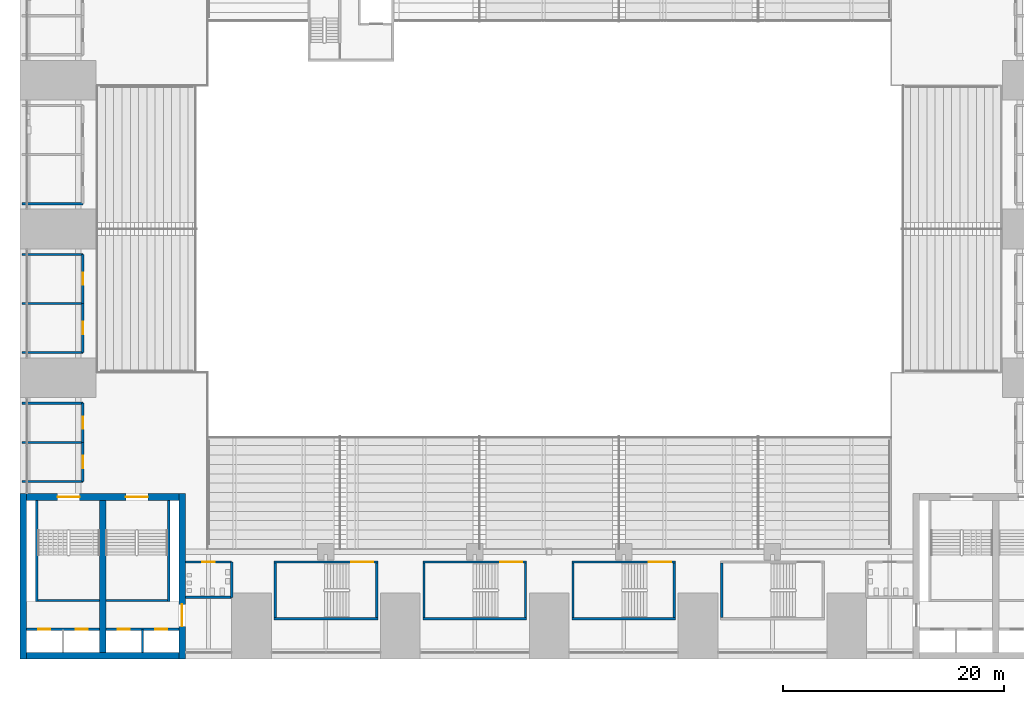
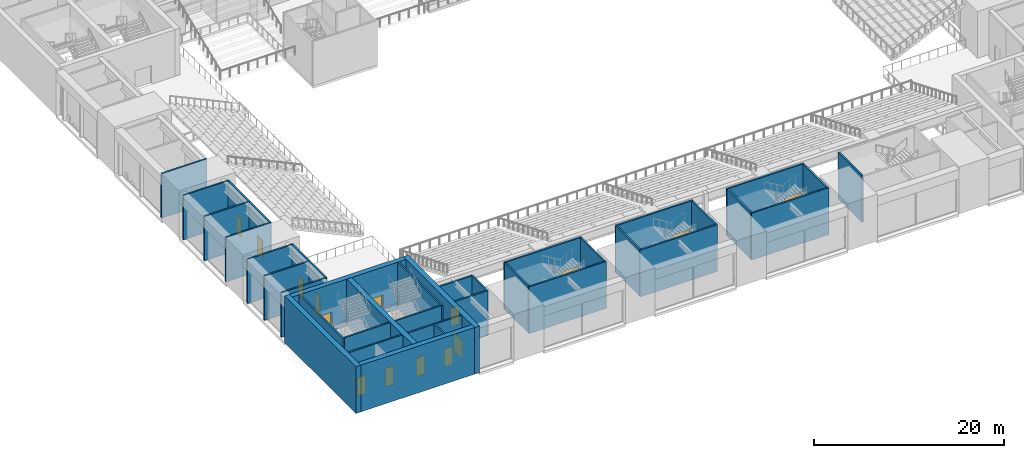
# One storey, part 29 of 61: 39 walls, 15 doors, 15 openings.
"""IFC4 building model written with IfcOpenShell, lengths in metres."""

import ifcopenshell
import ifcopenshell.guid

model = None  # the IFC model being written
_history = None  # IfcOwnerHistory: only IFC2X3 demands one
_inside = {}  # id of a spatial element -> (the spatial element, [elements in it])
_under = {}  # id of a project, library or spatial element -> (it, [spatial elements below it])
_declared = {}  # id of a project -> (the project, [libraries it declares])
_typed = {}  # id of a type object -> (the type object, [elements of that type])
_made_of = {}  # id of a material, layer set ... -> (it, [elements and type objects made of it])


def new_model(schema):
    """Start an empty IFC model of exactly this schema.

    Asked for "IFC4X3", IfcOpenShell would pick the latest addendum, in which some entities
    have other attributes; the version numbers below select the first issue.
    IFC2X3 requires an IfcOwnerHistory on every rooted entity: one is made here for all.
    """
    global model, _history
    if schema == "IFC4X3":
        model = ifcopenshell.file(schema_version=(4, 3, 0, 0))
    else:
        model = ifcopenshell.file(schema=schema)
    _inside.clear()
    _under.clear()
    _declared.clear()
    _typed.clear()
    _made_of.clear()
    _history = None
    if model.schema == "IFC2X3":
        org = make("IfcOrganization", Name="unknown")
        user = make(
            "IfcPersonAndOrganization",
            ThePerson=make("IfcPerson", FamilyName="unknown"),
            TheOrganization=org,
        )
        app = make(
            "IfcApplication",
            ApplicationDeveloper=org,
            Version="unknown",
            ApplicationFullName="unknown",
            ApplicationIdentifier="unknown",
        )
        _history = make(
            "IfcOwnerHistory",
            OwningUser=user,
            OwningApplication=app,
            ChangeAction="ADDED",
            CreationDate=0,
        )
    return model


def make(cls, **values):
    """One entity of the class cls with the attributes given. An attribute that is None is left unset."""
    return model.create_entity(
        cls, **{name: value for name, value in values.items() if value is not None}
    )


def rooted(cls, **values):
    """An entity with a GlobalId (a new one), such as an element, a storey or a relation."""
    return make(cls, GlobalId=ifcopenshell.guid.new(), OwnerHistory=_history, **values)


def si_unit(unit_type, name, prefix=None):
    """IfcSIUnit, for example si_unit("LENGTHUNIT", "METRE", prefix="MILLI")."""
    return make("IfcSIUnit", UnitType=unit_type, Prefix=prefix, Name=name)


def assignment(units):
    """IfcUnitAssignment: the units of a project."""
    return None if units is None else make("IfcUnitAssignment", Units=units)


def point(xyz):
    """IfcCartesianPoint."""
    return None if xyz is None else make("IfcCartesianPoint", Coordinates=xyz)


def direction(xyz):
    """IfcDirection."""
    return None if xyz is None else make("IfcDirection", DirectionRatios=xyz)


def frame(location, z_axis=None, x_axis=None):
    """IfcAxis2Placement3D, a coordinate frame: its origin and axes. An axis left out is left unset."""
    return make(
        "IfcAxis2Placement3D",
        Location=point(location),
        Axis=direction(z_axis),
        RefDirection=direction(x_axis),
    )


def frame_2d(location, x_axis=None):
    """IfcAxis2Placement2D, a coordinate frame in the plane: its origin and x axis."""
    return make(
        "IfcAxis2Placement2D", Location=point(location), RefDirection=direction(x_axis)
    )


def origin():
    """The frame at (0, 0, 0) with its axes left unset."""
    return frame((0.0, 0.0, 0.0))


def place(relative_to, where):
    """IfcLocalPlacement: puts the frame where relative to a parent placement (None: the world)."""
    return make(
        "IfcLocalPlacement", PlacementRelTo=relative_to, RelativePlacement=where
    )


def context(
    kind, dimensions, precision=None, world=None, true_north=None, identifier=None
):
    """IfcGeometricRepresentationContext, for example the 3D "Model" context."""
    return make(
        "IfcGeometricRepresentationContext",
        ContextIdentifier=identifier,
        ContextType=kind,
        CoordinateSpaceDimension=dimensions,
        Precision=precision,
        WorldCoordinateSystem=world,
        TrueNorth=true_north,
    )


def subcontext(parent, identifier, kind, view, scale=None):
    """IfcGeometricRepresentationSubContext, for example "Body" below "Model"."""
    return make(
        "IfcGeometricRepresentationSubContext",
        ContextIdentifier=identifier,
        ContextType=kind,
        ParentContext=parent,
        TargetScale=scale,
        TargetView=view,
    )


def project(units=None, contexts=None):
    """IfcProject with its units and contexts."""
    return rooted(
        "IfcProject",
        Name="project",
        RepresentationContexts=contexts,
        UnitsInContext=assignment(units),
    )


def spatial(cls, under=None, at=None, **own):
    """A site, building, storey or space (cls), placed at a placement, below another one or the project."""
    s = rooted(cls, ObjectPlacement=at, **own)
    if under is not None:
        _under.setdefault(under.id(), (under, []))[1].append(s)
    return s


def profile(cls, at=None, kind="AREA", **sizes):
    """A parametric profile (cls). Its sizes go by their IFC names, for example OverallWidth=200.0."""
    return make(cls, ProfileType=kind, Position=at, **sizes)


def rectangle(**sizes):
    """IfcRectangleProfileDef."""
    return profile("IfcRectangleProfileDef", **sizes)


def extrude(swept, where, along, depth):
    """IfcExtrudedAreaSolid: the profile swept, set in the frame where, extruded along a direction by depth."""
    return make(
        "IfcExtrudedAreaSolid",
        SweptArea=swept,
        Position=where,
        ExtrudedDirection=direction(along),
        Depth=depth,
    )


def shape(context_of_items, identifier, shape_type, items):
    """IfcShapeRepresentation: the items that make up one representation, for example the "Body"."""
    return make(
        "IfcShapeRepresentation",
        ContextOfItems=context_of_items,
        RepresentationIdentifier=identifier,
        RepresentationType=shape_type,
        Items=items,
    )


def material(Name=None, Category=None):
    """IfcMaterial."""
    return make("IfcMaterial", Name=Name, Category=Category)


def layer(
    of_material, thickness, ventilated=None, Name=None, Category=None, Priority=None
):
    """IfcMaterialLayer: one layer of a wall or slab, of a material (None: an air gap)."""
    return make(
        "IfcMaterialLayer",
        Material=of_material,
        LayerThickness=thickness,
        IsVentilated=ventilated,
        Name=Name,
        Category=Category,
        Priority=Priority,
    )


def layer_set(layers, Name=None):
    """IfcMaterialLayerSet."""
    return make("IfcMaterialLayerSet", MaterialLayers=layers, LayerSetName=Name)


def made_of(thing, what):
    """Note that an element or type object is made of a material, layer set ...; save() writes the relation."""
    if what is not None:
        _made_of.setdefault(what.id(), (what, []))[1].append(thing)
    return thing


def type_object(cls, material=None, **own):
    """A type object (cls), such as IfcWallType, which elements share."""
    return made_of(rooted(cls, **own), material)


def element(
    cls,
    number,
    at=None,
    inside=None,
    cuts=None,
    type_object=None,
    material=None,
    context=None,
    identifier="Body",
    shape_type=None,
    held_by="IfcProductDefinitionShape",
    body=None,
    shapes=None,
    **own,
):
    """One element of the class cls, such as IfcWall. Its Tag is "e" and its number.

    at: its placement. inside: the storey or other place that contains it. cuts: it is an
    opening in that element (IfcRelVoidsElement). A single representation is given by context,
    identifier, shape_type and body (its items); several are given by shapes. held_by: the class
    of the entity that holds the representations. save() writes the other relations.
    """
    e = rooted(cls, Tag="e%d" % number, ObjectPlacement=at, **own)
    if body is not None:
        shapes = [shape(context, identifier, shape_type, body)]
    if shapes is not None:
        e.Representation = make(held_by, Representations=shapes)
    if inside is not None:
        _inside.setdefault(inside.id(), (inside, []))[1].append(e)
    if cuts is not None:
        rooted(
            "IfcRelVoidsElement", RelatingBuildingElement=cuts, RelatedOpeningElement=e
        )
    if type_object is not None:
        _typed.setdefault(type_object.id(), (type_object, []))[1].append(e)
    return made_of(e, material)


def fill(opening, filler):
    """IfcRelFillsElement: the door or window that sits in an opening."""
    return rooted(
        "IfcRelFillsElement",
        RelatingOpeningElement=opening,
        RelatedBuildingElement=filler,
    )


def aggregate(whole, parts):
    """IfcRelAggregates: a whole, such as a stair, and the parts it consists of."""
    return rooted("IfcRelAggregates", RelatingObject=whole, RelatedObjects=parts)


def save(model, path):
    """Write the relations noted so far, then the file.

    IfcRelAggregates (storeys below a building ...), IfcRelContainedInSpatialStructure (elements
    in a storey), IfcRelDefinesByType, IfcRelAssociatesMaterial and IfcRelDeclares: one each for
    every whole, place, type object, material and project.
    """
    for whole, parts in _under.values():
        aggregate(whole, parts)
    for where, things in _inside.values():
        rooted(
            "IfcRelContainedInSpatialStructure",
            RelatedElements=things,
            RelatingStructure=where,
        )
    for kind, things in _typed.values():
        rooted("IfcRelDefinesByType", RelatedObjects=things, RelatingType=kind)
    for what, things in _made_of.values():
        rooted("IfcRelAssociatesMaterial", RelatedObjects=things, RelatingMaterial=what)
    for by, libraries in _declared.values():
        rooted("IfcRelDeclares", RelatingContext=by, RelatedDefinitions=libraries)
    model.write(path)


model = new_model("IFC4")

# Units and contexts
model_context = context("Model", 3, precision=1e-05, world=origin(), true_north=direction((0.0, 1.0)))
body_context = subcontext(model_context, "Body", "Model", "MODEL_VIEW")
ifc_project = project(units=[si_unit("LENGTHUNIT", "METRE"), si_unit("AREAUNIT", "SQUARE_METRE"), si_unit("VOLUMEUNIT", "CUBIC_METRE"), si_unit("PLANEANGLEUNIT", "RADIAN"), si_unit("MASSUNIT", "GRAM", prefix="KILO")], contexts=[model_context])

# Site, building, storey
site_placement = place(None, origin())
site = spatial("IfcSite", under=ifc_project, at=site_placement, CompositionType="ELEMENT")
building_placement = place(site_placement, origin())
building = spatial("IfcBuilding", under=site, at=building_placement, Name="Corbelhall Arena Tower", CompositionType="ELEMENT")
storey_placement = place(building_placement, frame((0.0, 0.0, 31.0)))
storey = spatial("IfcBuildingStorey", under=building, at=storey_placement, Name="L04", CompositionType="ELEMENT", Elevation=31.0)

# Wall
ifc_material_1 = material(Name="Gypsum board on steel studs", Category="steel")
ifc_layer_1 = layer(ifc_material_1, 0.199951171875)
ifc_layer_set_1 = layer_set([ifc_layer_1], Name="AR-ROOM-WALL")
wall_type_1 = type_object("IfcWallType", Name="AR-ROOM-WALL", PredefinedType="PARTITIONING", material=ifc_layer_set_1)
wall_1_placement = place(storey_placement, frame((-42.300048828125, 2.300048828125, 0.0), z_axis=(0.0, 0.0, 1.0), x_axis=(-1.0, 0.0, 0.0)))
element("IfcWall", 1, at=wall_1_placement, inside=storey, type_object=wall_type_1, Name="Club lounge 5 end wall", PredefinedType="PARTITIONING", context=body_context, shape_type="SweptSolid", body=[
    extrude(rectangle(XDim=5.5, YDim=0.199951171875, at=frame_2d((2.75, 0.0))), origin(), (0.0, 0.0, 1.0), 5.699951171875),
])

# Wall, opening, door
wall_2_placement = place(storey_placement, frame((-42.300048828125, -11.199951171875, 0.0), z_axis=(0.0, 0.0, 1.0), x_axis=(0.0, 1.0, 0.0)))
wall_2 = element("IfcWall", 2, at=wall_2_placement, inside=storey, type_object=wall_type_1, Name="Club lounge 6 wall", PredefinedType="PARTITIONING", context=body_context, shape_type="SweptSolid", body=[
    extrude(rectangle(XDim=4.449951171875, YDim=0.199951171875, at=frame_2d((2.22509765625, 0.0))), origin(), (0.0, 0.0, 1.0), 5.699951171875),
])
opening_1_placement = place(wall_2_placement, frame((1.675048828125, 0.0, 0.0)))
opening_1 = element("IfcOpeningElement", 3, at=opening_1_placement, cuts=wall_2, Name="Opening DA0429", PredefinedType="OPENING", context=body_context, shape_type="SweptSolid", body=[
    extrude(rectangle(XDim=1.10009765625, YDim=2.39990234375, at=frame_2d((0.550048828125, 1.199951171875))), frame((0.0, 0.10009765625, 0.0), z_axis=(0.0, -1.0, 0.0), x_axis=(1.0, 0.0, 0.0)), (0.0, 0.0, 1.0), 0.199951171875),
])
ifc_material_2 = material(Name="Timber", Category="wood")
door_type_1 = type_object("IfcDoorType", Name="AR-ROOM-DOOR", OperationType="DOUBLE_DOOR_SINGLE_SWING", PredefinedType="DOOR", material=ifc_material_2)
door_1_placement = place(opening_1_placement, origin())
door_1 = element("IfcDoor", 4, at=door_1_placement, inside=storey, type_object=door_type_1, Name="Club lounge 6 door", OperationType="DOUBLE_DOOR_SINGLE_SWING", OverallHeight=2.39990234375, OverallWidth=1.10009765625, PredefinedType="DOOR", context=body_context, shape_type="SweptSolid", body=[
    extrude(rectangle(XDim=1.10009765625, YDim=2.39990234375, at=frame_2d((0.550048828125, 1.199951171875))), frame((0.0, 0.02490234375, 0.0), z_axis=(0.0, -1.0, 0.0), x_axis=(1.0, 0.0, 0.0)), (0.0, 0.0, 1.0), 0.050048828125),
])
fill(opening_1, door_1)

# Walls
for number, where, z_axis, x_axis, name in (
    (5, (-42.300048828125, -11.199951171875, 0.0), (0.0, 0.0, 1.0), (-1.0, 0.0, 0.0), "Club lounge 6 end wall"),
    (6, (-47.800048828125, -6.75, 0.0), (0.0, 0.0, 1.0), (1.0, 0.0, 0.0), "Club lounge 6 partition"),
):
    element("IfcWall", number, at=place(storey_placement, frame(where, z_axis=z_axis, x_axis=x_axis)), inside=storey, type_object=wall_type_1, Name=name, PredefinedType="PARTITIONING", context=body_context, shape_type="SweptSolid", body=[
        extrude(rectangle(XDim=5.5, YDim=0.199951171875, at=frame_2d((2.75, 0.0))), origin(), (0.0, 0.0, 1.0), 5.699951171875),
    ])

# Wall, opening, door
wall_3_placement = place(storey_placement, frame((-42.300048828125, -6.75, 0.0), z_axis=(0.0, 0.0, 1.0), x_axis=(0.0, 1.0, 0.0)))
wall_3 = element("IfcWall", 7, at=wall_3_placement, inside=storey, type_object=wall_type_1, Name="Hospitality kitchen 2 wall", PredefinedType="PARTITIONING", context=body_context, shape_type="SweptSolid", body=[
    extrude(rectangle(XDim=4.449951171875, YDim=0.199951171875, at=frame_2d((2.22509765625, 0.0))), origin(), (0.0, 0.0, 1.0), 5.699951171875),
])
opening_2_placement = place(wall_3_placement, frame((1.675048828125, 0.0, 0.0)))
opening_2 = element("IfcOpeningElement", 8, at=opening_2_placement, cuts=wall_3, Name="Opening DA0430", PredefinedType="OPENING", context=body_context, shape_type="SweptSolid", body=[
    extrude(rectangle(XDim=1.10009765625, YDim=2.39990234375, at=frame_2d((0.550048828125, 1.199951171875))), frame((0.0, 0.10009765625, 0.0), z_axis=(0.0, -1.0, 0.0), x_axis=(1.0, 0.0, 0.0)), (0.0, 0.0, 1.0), 0.199951171875),
])
door_2_placement = place(opening_2_placement, origin())
door_2 = element("IfcDoor", 9, at=door_2_placement, inside=storey, type_object=door_type_1, Name="Hospitality kitchen 2 door", OperationType="DOUBLE_DOOR_SINGLE_SWING", OverallHeight=2.39990234375, OverallWidth=1.10009765625, PredefinedType="DOOR", context=body_context, shape_type="SweptSolid", body=[
    extrude(rectangle(XDim=1.10009765625, YDim=2.39990234375, at=frame_2d((0.550048828125, 1.199951171875))), frame((0.0, 0.02490234375, 0.0), z_axis=(0.0, -1.0, 0.0), x_axis=(1.0, 0.0, 0.0)), (0.0, 0.0, 1.0), 0.050048828125),
])
fill(opening_2, door_2)

# Wall
wall_4_placement = place(storey_placement, frame((-42.300048828125, -2.300048828125, 0.0), z_axis=(0.0, 0.0, 1.0), x_axis=(-1.0, 0.0, 0.0)))
element("IfcWall", 10, at=wall_4_placement, inside=storey, type_object=wall_type_1, Name="Hospitality kitchen 2 end wall", PredefinedType="PARTITIONING", context=body_context, shape_type="SweptSolid", body=[
    extrude(rectangle(XDim=5.5, YDim=0.199951171875, at=frame_2d((2.75, 0.0))), origin(), (0.0, 0.0, 1.0), 5.699951171875),
])

# Wall, opening, door
wall_5_placement = place(storey_placement, frame((-42.300048828125, -22.89990234375, 0.0), z_axis=(0.0, 0.0, 1.0), x_axis=(0.0, 1.0, 0.0)))
wall_5 = element("IfcWall", 11, at=wall_5_placement, inside=storey, type_object=wall_type_1, Name="Club lounge 8 wall", PredefinedType="PARTITIONING", context=body_context, shape_type="SweptSolid", body=[
    extrude(rectangle(XDim=3.5498046875, YDim=0.199951171875, at=frame_2d((1.77490234375, 0.0))), origin(), (0.0, 0.0, 1.0), 5.699951171875),
])
opening_3_placement = place(wall_5_placement, frame((1.22509765625, 0.0, 0.0)))
opening_3 = element("IfcOpeningElement", 12, at=opening_3_placement, cuts=wall_5, Name="Opening DA0433", PredefinedType="OPENING", context=body_context, shape_type="SweptSolid", body=[
    extrude(rectangle(XDim=1.10009765625, YDim=2.39990234375, at=frame_2d((0.550048828125, 1.199951171875))), frame((0.0, 0.10009765625, 0.0), z_axis=(0.0, -1.0, 0.0), x_axis=(1.0, 0.0, 0.0)), (0.0, 0.0, 1.0), 0.199951171875),
])
door_3_placement = place(opening_3_placement, origin())
door_3 = element("IfcDoor", 13, at=door_3_placement, inside=storey, type_object=door_type_1, Name="Club lounge 8 door", OperationType="DOUBLE_DOOR_SINGLE_SWING", OverallHeight=2.39990234375, OverallWidth=1.10009765625, PredefinedType="DOOR", context=body_context, shape_type="SweptSolid", body=[
    extrude(rectangle(XDim=1.10009765625, YDim=2.39990234375, at=frame_2d((0.550048828125, 1.199951171875))), frame((0.0, 0.02490234375, 0.0), z_axis=(0.0, -1.0, 0.0), x_axis=(1.0, 0.0, 0.0)), (0.0, 0.0, 1.0), 0.050048828125),
])
fill(opening_3, door_3)

# Walls
for number, where, z_axis, x_axis, name in (
    (14, (-42.300048828125, -22.89990234375, 0.0), (0.0, 0.0, 1.0), (-1.0, 0.0, 0.0), "Club lounge 8 end wall"),
    (15, (-47.800048828125, -19.35009765625, 0.0), (0.0, 0.0, 1.0), (1.0, 0.0, 0.0), "Club lounge 8 partition"),
):
    element("IfcWall", number, at=place(storey_placement, frame(where, z_axis=z_axis, x_axis=x_axis)), inside=storey, type_object=wall_type_1, Name=name, PredefinedType="PARTITIONING", context=body_context, shape_type="SweptSolid", body=[
        extrude(rectangle(XDim=5.5, YDim=0.199951171875, at=frame_2d((2.75, 0.0))), origin(), (0.0, 0.0, 1.0), 5.699951171875),
    ])

# Wall, opening, door
wall_6_placement = place(storey_placement, frame((-42.300048828125, -19.35009765625, 0.0), z_axis=(0.0, 0.0, 1.0), x_axis=(0.0, 1.0, 0.0)))
wall_6 = element("IfcWall", 16, at=wall_6_placement, inside=storey, type_object=wall_type_1, Name="Club bar 2 wall", PredefinedType="PARTITIONING", context=body_context, shape_type="SweptSolid", body=[
    extrude(rectangle(XDim=3.550048828125, YDim=0.199951171875, at=frame_2d((1.77490234375, 0.0))), origin(), (0.0, 0.0, 1.0), 5.699951171875),
])
opening_4_placement = place(wall_6_placement, frame((1.22509765625, 0.0, 0.0)))
opening_4 = element("IfcOpeningElement", 17, at=opening_4_placement, cuts=wall_6, Name="Opening DA0434", PredefinedType="OPENING", context=body_context, shape_type="SweptSolid", body=[
    extrude(rectangle(XDim=1.10009765625, YDim=2.39990234375, at=frame_2d((0.550048828125, 1.199951171875))), frame((0.0, 0.10009765625, 0.0), z_axis=(0.0, -1.0, 0.0), x_axis=(1.0, 0.0, 0.0)), (0.0, 0.0, 1.0), 0.199951171875),
])
door_4_placement = place(opening_4_placement, origin())
door_4 = element("IfcDoor", 18, at=door_4_placement, inside=storey, type_object=door_type_1, Name="Club bar 2 door", OperationType="DOUBLE_DOOR_SINGLE_SWING", OverallHeight=2.39990234375, OverallWidth=1.10009765625, PredefinedType="DOOR", context=body_context, shape_type="SweptSolid", body=[
    extrude(rectangle(XDim=1.10009765625, YDim=2.39990234375, at=frame_2d((0.550048828125, 1.199951171875))), frame((0.0, 0.02490234375, 0.0), z_axis=(0.0, -1.0, 0.0), x_axis=(1.0, 0.0, 0.0)), (0.0, 0.0, 1.0), 0.050048828125),
])
fill(opening_4, door_4)

# Wall
wall_7_placement = place(storey_placement, frame((-42.300048828125, -15.800048828125, 0.0), z_axis=(0.0, 0.0, 1.0), x_axis=(-1.0, 0.0, 0.0)))
element("IfcWall", 19, at=wall_7_placement, inside=storey, type_object=wall_type_1, Name="Club bar 2 end wall", PredefinedType="PARTITIONING", context=body_context, shape_type="SweptSolid", body=[
    extrude(rectangle(XDim=5.5, YDim=0.199951171875, at=frame_2d((2.75, 0.0))), origin(), (0.0, 0.0, 1.0), 5.699951171875),
])

# Wall, opening, door
wall_8_placement = place(storey_placement, frame((-33.0, -30.199951171875, 0.0), z_axis=(0.0, 0.0, 1.0), x_axis=(1.0, 0.0, 0.0)))
wall_8 = element("IfcWall", 20, at=wall_8_placement, inside=storey, type_object=wall_type_1, Name="Men's WC 4 wall", PredefinedType="PARTITIONING", context=body_context, shape_type="SweptSolid", body=[
    extrude(rectangle(XDim=4.199951171875, YDim=0.199951171875, at=frame_2d((2.10009765625, 0.0))), origin(), (0.0, 0.0, 1.0), 5.699951171875),
])
opening_5_placement = place(wall_8_placement, frame((1.550048828125, 0.0, 0.0)))
opening_5 = element("IfcOpeningElement", 21, at=opening_5_placement, cuts=wall_8, Name="Opening DA0438", PredefinedType="OPENING", context=body_context, shape_type="SweptSolid", body=[
    extrude(rectangle(XDim=1.10009765625, YDim=2.39990234375, at=frame_2d((0.550048828125, 1.199951171875))), frame((0.0, 0.10009765625, 0.0), z_axis=(0.0, -1.0, 0.0), x_axis=(1.0, 0.0, 0.0)), (0.0, 0.0, 1.0), 0.199951171875),
])
door_5_placement = place(opening_5_placement, origin())
door_5 = element("IfcDoor", 22, at=door_5_placement, inside=storey, type_object=door_type_1, Name="Men's WC 4 door", OperationType="DOUBLE_DOOR_SINGLE_SWING", OverallHeight=2.39990234375, OverallWidth=1.10009765625, PredefinedType="DOOR", context=body_context, shape_type="SweptSolid", body=[
    extrude(rectangle(XDim=1.10009765625, YDim=2.39990234375, at=frame_2d((0.550048828125, 1.199951171875))), frame((0.0, 0.02490234375, 0.0), z_axis=(0.0, -1.0, 0.0), x_axis=(1.0, 0.0, 0.0)), (0.0, 0.0, 1.0), 0.050048828125),
])
fill(opening_5, door_5)

# Walls
wall_9_placement = place(storey_placement, frame((-28.800048828125, -33.39990234375, 0.0), z_axis=(0.0, 0.0, 1.0), x_axis=(0.0, 1.0, 0.0)))
element("IfcWall", 23, at=wall_9_placement, inside=storey, type_object=wall_type_1, Name="Men's WC 4 side wall", PredefinedType="PARTITIONING", context=body_context, shape_type="SweptSolid", body=[
    extrude(rectangle(XDim=3.199951171875, YDim=0.199951171875, at=frame_2d((1.60009765625, 0.0))), origin(), (0.0, 0.0, 1.0), 5.699951171875),
])
wall_10_placement = place(storey_placement, frame((-33.0, -33.39990234375, 0.0), z_axis=(0.0, 0.0, 1.0), x_axis=(1.0, 0.0, 0.0)))
element("IfcWall", 24, at=wall_10_placement, inside=storey, type_object=wall_type_1, Name="Men's WC 4 far wall", PredefinedType="PARTITIONING", context=body_context, shape_type="SweptSolid", body=[
    extrude(rectangle(XDim=4.199951171875, YDim=0.199951171875, at=frame_2d((2.10009765625, 0.0))), origin(), (0.0, 0.0, 1.0), 5.699951171875),
])

# Wall, openings, doors
ifc_material_3 = material(Name="Reinforced concrete C40/50", Category="concrete")
ifc_layer_2 = layer(ifc_material_3, 0.199951171875)
ifc_layer_set_2 = layer_set([ifc_layer_2], Name="AR-SHAFT-WALL")
wall_type_2 = type_object("IfcWallType", Name="AR-SHAFT-WALL", PredefinedType="SHEAR", material=ifc_layer_set_2)
wall_11_placement = place(storey_placement, frame((-47.39990234375, -36.300048828125, 0.0), z_axis=(0.0, 0.0, 1.0), x_axis=(1.0, 0.0, 0.0)))
wall_11 = element("IfcWall", 25, at=wall_11_placement, inside=storey, type_object=wall_type_2, Name="Lift lobby wall SW", PredefinedType="SHEAR", context=body_context, shape_type="SweptSolid", body=[
    extrude(rectangle(XDim=6.599853515625, YDim=0.199951171875, at=frame_2d((3.2998046875, 0.0))), origin(), (0.0, 0.0, 1.0), 6.0),
])
opening_6_placement = place(wall_11_placement, frame((1.050048828125, 0.0, 0.0)))
opening_6 = element("IfcOpeningElement", 26, at=opening_6_placement, cuts=wall_11, Name="Opening LD0269", PredefinedType="OPENING", context=body_context, shape_type="SweptSolid", body=[
    extrude(rectangle(XDim=1.10009765625, YDim=2.39990234375, at=frame_2d((0.550048828125, 1.199951171875))), frame((0.0, 0.10009765625, 0.0), z_axis=(0.0, -1.0, 0.0), x_axis=(1.0, 0.0, 0.0)), (0.0, 0.0, 1.0), 0.199951171875),
])
opening_7_placement = place(wall_11_placement, frame((4.449951171875, 0.0, 0.0)))
opening_7 = element("IfcOpeningElement", 27, at=opening_7_placement, cuts=wall_11, Name="Opening LD0270", PredefinedType="OPENING", context=body_context, shape_type="SweptSolid", body=[
    extrude(rectangle(XDim=1.10009765625, YDim=2.39990234375, at=frame_2d((0.550048828125, 1.199951171875))), frame((0.0, 0.10009765625, 0.0), z_axis=(0.0, -1.0, 0.0), x_axis=(1.0, 0.0, 0.0)), (0.0, 0.0, 1.0), 0.199951171875),
])
ifc_material_4 = material(Name="Stainless steel A4", Category="steel")
door_type_2 = type_object("IfcDoorType", Name="AR-LANDING-DOOR", OperationType="DOUBLE_DOOR_SLIDING", PredefinedType="DOOR", material=ifc_material_4)
door_6_placement = place(opening_6_placement, frame((1.10009765625, 0.0, 0.0), z_axis=(0.0, 0.0, 1.0), x_axis=(-1.0, 0.0, 0.0)))
door_6 = element("IfcDoor", 28, at=door_6_placement, inside=storey, type_object=door_type_2, Name="Landing door SW LF3 L04", OperationType="DOUBLE_DOOR_SLIDING", OverallHeight=2.39990234375, OverallWidth=1.10009765625, PredefinedType="DOOR", context=body_context, shape_type="SweptSolid", body=[
    extrude(rectangle(XDim=1.10009765625, YDim=2.39990234375, at=frame_2d((0.550048828125, 1.199951171875))), frame((0.0, 0.02490234375, 0.0), z_axis=(0.0, -1.0, 0.0), x_axis=(1.0, 0.0, 0.0)), (0.0, 0.0, 1.0), 0.050048828125),
])
fill(opening_6, door_6)
door_7_placement = place(opening_7_placement, frame((1.10009765625, 0.0, 0.0), z_axis=(0.0, 0.0, 1.0), x_axis=(-1.0, 0.0, 0.0)))
door_7 = element("IfcDoor", 29, at=door_7_placement, inside=storey, type_object=door_type_2, Name="Landing door SW LF4 L04", OperationType="DOUBLE_DOOR_SLIDING", OverallHeight=2.39990234375, OverallWidth=1.10009765625, PredefinedType="DOOR", context=body_context, shape_type="SweptSolid", body=[
    extrude(rectangle(XDim=1.10009765625, YDim=2.39990234375, at=frame_2d((0.550048828125, 1.199951171875))), frame((0.0, 0.02490234375, 0.0), z_axis=(0.0, -1.0, 0.0), x_axis=(1.0, 0.0, 0.0)), (0.0, 0.0, 1.0), 0.050048828125),
])
fill(opening_7, door_7)

wall_12_placement = place(storey_placement, frame((-40.199951171875, -36.300048828125, 0.0), z_axis=(0.0, 0.0, 1.0), x_axis=(1.0, 0.0, 0.0)))
wall_12 = element("IfcWall", 30, at=wall_12_placement, inside=storey, type_object=wall_type_2, Name="Lift lobby wall SW", PredefinedType="SHEAR", context=body_context, shape_type="SweptSolid", body=[
    extrude(rectangle(XDim=6.599853515625, YDim=0.199951171875, at=frame_2d((3.2998046875, 0.0))), origin(), (0.0, 0.0, 1.0), 6.0),
])
opening_8_placement = place(wall_12_placement, frame((1.050048828125, 0.0, 0.0)))
opening_8 = element("IfcOpeningElement", 31, at=opening_8_placement, cuts=wall_12, Name="Opening LD0271", PredefinedType="OPENING", context=body_context, shape_type="SweptSolid", body=[
    extrude(rectangle(XDim=1.10009765625, YDim=2.39990234375, at=frame_2d((0.550048828125, 1.199951171875))), frame((0.0, 0.10009765625, 0.0), z_axis=(0.0, -1.0, 0.0), x_axis=(1.0, 0.0, 0.0)), (0.0, 0.0, 1.0), 0.199951171875),
])
opening_9_placement = place(wall_12_placement, frame((4.449951171875, 0.0, 0.0)))
opening_9 = element("IfcOpeningElement", 32, at=opening_9_placement, cuts=wall_12, Name="Opening LD0272", PredefinedType="OPENING", context=body_context, shape_type="SweptSolid", body=[
    extrude(rectangle(XDim=1.10009765625, YDim=2.39990234375, at=frame_2d((0.550048828125, 1.199951171875))), frame((0.0, 0.10009765625, 0.0), z_axis=(0.0, -1.0, 0.0), x_axis=(1.0, 0.0, 0.0)), (0.0, 0.0, 1.0), 0.199951171875),
])
door_8_placement = place(opening_8_placement, frame((1.10009765625, 0.0, 0.0), z_axis=(0.0, 0.0, 1.0), x_axis=(-1.0, 0.0, 0.0)))
door_8 = element("IfcDoor", 33, at=door_8_placement, inside=storey, type_object=door_type_2, Name="Landing door SW LF1 L04", OperationType="DOUBLE_DOOR_SLIDING", OverallHeight=2.39990234375, OverallWidth=1.10009765625, PredefinedType="DOOR", context=body_context, shape_type="SweptSolid", body=[
    extrude(rectangle(XDim=1.10009765625, YDim=2.39990234375, at=frame_2d((0.550048828125, 1.199951171875))), frame((0.0, 0.02490234375, 0.0), z_axis=(0.0, -1.0, 0.0), x_axis=(1.0, 0.0, 0.0)), (0.0, 0.0, 1.0), 0.050048828125),
])
fill(opening_8, door_8)
door_9_placement = place(opening_9_placement, frame((1.10009765625, 0.0, 0.0), z_axis=(0.0, 0.0, 1.0), x_axis=(-1.0, 0.0, 0.0)))
door_9 = element("IfcDoor", 34, at=door_9_placement, inside=storey, type_object=door_type_2, Name="Landing door SW LF2 L04", OperationType="DOUBLE_DOOR_SLIDING", OverallHeight=2.39990234375, OverallWidth=1.10009765625, PredefinedType="DOOR", context=body_context, shape_type="SweptSolid", body=[
    extrude(rectangle(XDim=1.10009765625, YDim=2.39990234375, at=frame_2d((0.550048828125, 1.199951171875))), frame((0.0, 0.02490234375, 0.0), z_axis=(0.0, -1.0, 0.0), x_axis=(1.0, 0.0, 0.0)), (0.0, 0.0, 1.0), 0.050048828125),
])
fill(opening_9, door_9)

# Wall
wall_13_placement = place(storey_placement, frame((-36.89990234375, -38.39990234375, 0.0), z_axis=(0.0, 0.0, 1.0), x_axis=(0.0, 1.0, 0.0)))
element("IfcWall", 35, at=wall_13_placement, inside=storey, type_object=wall_type_2, Name="Shaft wall SW", PredefinedType="SHEAR", context=body_context, shape_type="SweptSolid", body=[
    extrude(rectangle(XDim=2.099853515625, YDim=0.199951171875, at=frame_2d((1.0498046875, 0.0))), origin(), (0.0, 0.0, 1.0), 6.0),
])

# Wall, opening, door
ifc_layer_3 = layer(ifc_material_3, 0.199951171875)
ifc_layer_set_3 = layer_set([ifc_layer_3], Name="AR-STAIR-WALL")
wall_type_3 = type_object("IfcWallType", Name="AR-STAIR-WALL", PredefinedType="SOLIDWALL", material=ifc_layer_set_3)
wall_14_placement = place(storey_placement, frame((-15.550048828125, -30.199951171875, 0.0), z_axis=(0.0, 0.0, 1.0), x_axis=(-1.0, 0.0, 0.0)))
wall_14 = element("IfcWall", 36, at=wall_14_placement, inside=storey, type_object=wall_type_3, Name="Stair AS13 wall", PredefinedType="SOLIDWALL", context=body_context, shape_type="SweptSolid", body=[
    extrude(rectangle(XDim=9.39990234375, YDim=0.199951171875, at=frame_2d((4.699951171875, 0.0))), origin(), (0.0, 0.0, 1.0), 6.0),
])
opening_10_placement = place(wall_14_placement, frame((0.39990234375, 0.0, 0.0)))
opening_10 = element("IfcOpeningElement", 37, at=opening_10_placement, cuts=wall_14, Name="Opening DA0029", PredefinedType="OPENING", context=body_context, shape_type="SweptSolid", body=[
    extrude(rectangle(XDim=2.0, YDim=2.39990234375, at=frame_2d((1.0, 1.199951171875))), frame((0.0, 0.10009765625, 0.0), z_axis=(0.0, -1.0, 0.0), x_axis=(1.0, 0.0, 0.0)), (0.0, 0.0, 1.0), 0.199951171875),
])
ifc_material_5 = material(Name="Steel and glass", Category="steel")
door_type_3 = type_object("IfcDoorType", Name="AR-STAIR-DOOR", OperationType="DOUBLE_DOOR_SINGLE_SWING", PredefinedType="DOOR", material=ifc_material_5)
door_10_placement = place(opening_10_placement, origin())
door_10 = element("IfcDoor", 38, at=door_10_placement, inside=storey, type_object=door_type_3, Name="Stair AS13 door", OperationType="DOUBLE_DOOR_SINGLE_SWING", OverallHeight=2.39990234375, OverallWidth=2.0, PredefinedType="DOOR", context=body_context, shape_type="SweptSolid", body=[
    extrude(rectangle(XDim=2.0, YDim=2.39990234375, at=frame_2d((1.0, 1.199951171875))), frame((0.0, 0.02490234375, 0.0), z_axis=(0.0, -1.0, 0.0), x_axis=(1.0, 0.0, 0.0)), (0.0, 0.0, 1.0), 0.050048828125),
])
fill(opening_10, door_10)

# Walls
wall_15_placement = place(storey_placement, frame((-24.949951171875, -35.35009765625, 0.0), z_axis=(0.0, 0.0, 1.0), x_axis=(1.0, 0.0, 0.0)))
element("IfcWall", 39, at=wall_15_placement, inside=storey, type_object=wall_type_3, Name="Stair AS13 wall", PredefinedType="SOLIDWALL", context=body_context, shape_type="SweptSolid", body=[
    extrude(rectangle(XDim=9.39990234375, YDim=0.199951171875, at=frame_2d((4.699951171875, 0.0))), origin(), (0.0, 0.0, 1.0), 6.0),
])
for number, where, z_axis, x_axis, name in (
    (40, (-24.85009765625, -35.25, 0.0), (0.0, 0.0, 1.0), (0.0, 1.0, 0.0), "Stair AS13 wall"),
    (41, (-15.64990234375, -35.25, 0.0), (0.0, 0.0, 1.0), (0.0, 1.0, 0.0), "Stair AS13 wall"),
):
    element("IfcWall", number, at=place(storey_placement, frame(where, z_axis=z_axis, x_axis=x_axis)), inside=storey, type_object=wall_type_3, Name=name, PredefinedType="SOLIDWALL", context=body_context, shape_type="SweptSolid", body=[
        extrude(rectangle(XDim=4.949951171875, YDim=0.199951171875, at=frame_2d((2.47509765625, 0.0))), origin(), (0.0, 0.0, 1.0), 6.0),
    ])

# Wall, opening, door
wall_16_placement = place(storey_placement, frame((-2.050048828125, -30.199951171875, 0.0), z_axis=(0.0, 0.0, 1.0), x_axis=(-1.0, 0.0, 0.0)))
wall_16 = element("IfcWall", 42, at=wall_16_placement, inside=storey, type_object=wall_type_3, Name="Stair AS14 wall", PredefinedType="SOLIDWALL", context=body_context, shape_type="SweptSolid", body=[
    extrude(rectangle(XDim=9.39990234375, YDim=0.199951171875, at=frame_2d((4.699951171875, 0.0))), origin(), (0.0, 0.0, 1.0), 6.0),
])
opening_11_placement = place(wall_16_placement, frame((0.39990234375, 0.0, 0.0)))
opening_11 = element("IfcOpeningElement", 43, at=opening_11_placement, cuts=wall_16, Name="Opening DA0035", PredefinedType="OPENING", context=body_context, shape_type="SweptSolid", body=[
    extrude(rectangle(XDim=2.0, YDim=2.39990234375, at=frame_2d((1.0, 1.199951171875))), frame((0.0, 0.10009765625, 0.0), z_axis=(0.0, -1.0, 0.0), x_axis=(1.0, 0.0, 0.0)), (0.0, 0.0, 1.0), 0.199951171875),
])
door_11_placement = place(opening_11_placement, origin())
door_11 = element("IfcDoor", 44, at=door_11_placement, inside=storey, type_object=door_type_3, Name="Stair AS14 door", OperationType="DOUBLE_DOOR_SINGLE_SWING", OverallHeight=2.39990234375, OverallWidth=2.0, PredefinedType="DOOR", context=body_context, shape_type="SweptSolid", body=[
    extrude(rectangle(XDim=2.0, YDim=2.39990234375, at=frame_2d((1.0, 1.199951171875))), frame((0.0, 0.02490234375, 0.0), z_axis=(0.0, -1.0, 0.0), x_axis=(1.0, 0.0, 0.0)), (0.0, 0.0, 1.0), 0.050048828125),
])
fill(opening_11, door_11)

# Walls
wall_17_placement = place(storey_placement, frame((-11.449951171875, -35.35009765625, 0.0), z_axis=(0.0, 0.0, 1.0), x_axis=(1.0, 0.0, 0.0)))
element("IfcWall", 45, at=wall_17_placement, inside=storey, type_object=wall_type_3, Name="Stair AS14 wall", PredefinedType="SOLIDWALL", context=body_context, shape_type="SweptSolid", body=[
    extrude(rectangle(XDim=9.39990234375, YDim=0.199951171875, at=frame_2d((4.699951171875, 0.0))), origin(), (0.0, 0.0, 1.0), 6.0),
])
for number, where, z_axis, x_axis, name in (
    (46, (-11.35009765625, -35.25, 0.0), (0.0, 0.0, 1.0), (0.0, 1.0, 0.0), "Stair AS14 wall"),
    (47, (-2.14990234375, -35.25, 0.0), (0.0, 0.0, 1.0), (0.0, 1.0, 0.0), "Stair AS14 wall"),
):
    element("IfcWall", number, at=place(storey_placement, frame(where, z_axis=z_axis, x_axis=x_axis)), inside=storey, type_object=wall_type_3, Name=name, PredefinedType="SOLIDWALL", context=body_context, shape_type="SweptSolid", body=[
        extrude(rectangle(XDim=4.949951171875, YDim=0.199951171875, at=frame_2d((2.47509765625, 0.0))), origin(), (0.0, 0.0, 1.0), 6.0),
    ])

# Wall, opening, door
wall_18_placement = place(storey_placement, frame((11.449951171875, -30.199951171875, 0.0), z_axis=(0.0, 0.0, 1.0), x_axis=(-1.0, 0.0, 0.0)))
wall_18 = element("IfcWall", 48, at=wall_18_placement, inside=storey, type_object=wall_type_3, Name="Stair AS15 wall", PredefinedType="SOLIDWALL", context=body_context, shape_type="SweptSolid", body=[
    extrude(rectangle(XDim=9.39990234375, YDim=0.199951171875, at=frame_2d((4.699951171875, 0.0))), origin(), (0.0, 0.0, 1.0), 6.0),
])
opening_12_placement = place(wall_18_placement, frame((0.39990234375, 0.0, 0.0)))
opening_12 = element("IfcOpeningElement", 49, at=opening_12_placement, cuts=wall_18, Name="Opening DA0041", PredefinedType="OPENING", context=body_context, shape_type="SweptSolid", body=[
    extrude(rectangle(XDim=2.0, YDim=2.39990234375, at=frame_2d((1.0, 1.199951171875))), frame((0.0, 0.10009765625, 0.0), z_axis=(0.0, -1.0, 0.0), x_axis=(1.0, 0.0, 0.0)), (0.0, 0.0, 1.0), 0.199951171875),
])
door_12_placement = place(opening_12_placement, origin())
door_12 = element("IfcDoor", 50, at=door_12_placement, inside=storey, type_object=door_type_3, Name="Stair AS15 door", OperationType="DOUBLE_DOOR_SINGLE_SWING", OverallHeight=2.39990234375, OverallWidth=2.0, PredefinedType="DOOR", context=body_context, shape_type="SweptSolid", body=[
    extrude(rectangle(XDim=2.0, YDim=2.39990234375, at=frame_2d((1.0, 1.199951171875))), frame((0.0, 0.02490234375, 0.0), z_axis=(0.0, -1.0, 0.0), x_axis=(1.0, 0.0, 0.0)), (0.0, 0.0, 1.0), 0.050048828125),
])
fill(opening_12, door_12)

# Walls
wall_19_placement = place(storey_placement, frame((2.050048828125, -35.35009765625, 0.0), z_axis=(0.0, 0.0, 1.0), x_axis=(1.0, 0.0, 0.0)))
element("IfcWall", 51, at=wall_19_placement, inside=storey, type_object=wall_type_3, Name="Stair AS15 wall", PredefinedType="SOLIDWALL", context=body_context, shape_type="SweptSolid", body=[
    extrude(rectangle(XDim=9.39990234375, YDim=0.199951171875, at=frame_2d((4.699951171875, 0.0))), origin(), (0.0, 0.0, 1.0), 6.0),
])
for number, where, z_axis, x_axis, name in (
    (52, (2.14990234375, -35.25, 0.0), (0.0, 0.0, 1.0), (0.0, 1.0, 0.0), "Stair AS15 wall"),
    (53, (11.35009765625, -35.25, 0.0), (0.0, 0.0, 1.0), (0.0, 1.0, 0.0), "Stair AS15 wall"),
    (54, (15.64990234375, -35.25, 0.0), (0.0, 0.0, 1.0), (0.0, 1.0, 0.0), "Stair AS16 wall"),
):
    element("IfcWall", number, at=place(storey_placement, frame(where, z_axis=z_axis, x_axis=x_axis)), inside=storey, type_object=wall_type_3, Name=name, PredefinedType="SOLIDWALL", context=body_context, shape_type="SweptSolid", body=[
        extrude(rectangle(XDim=4.949951171875, YDim=0.199951171875, at=frame_2d((2.47509765625, 0.0))), origin(), (0.0, 0.0, 1.0), 6.0),
    ])
wall_20_placement = place(storey_placement, frame((-34.510009765625, -33.800048828125, 0.0), z_axis=(0.0, 0.0, 1.0), x_axis=(0.0, 1.0, 0.0)))
element("IfcWall", 55, at=wall_20_placement, inside=storey, type_object=wall_type_3, Name="Stair AS7 wall", PredefinedType="SOLIDWALL", context=body_context, shape_type="SweptSolid", body=[
    extrude(rectangle(XDim=9.199951171875, YDim=0.199951171875, at=frame_2d((4.60009765625, 0.0))), origin(), (0.0, 0.0, 1.0), 6.0),
])
wall_21_placement = place(storey_placement, frame((-40.199951171875, -33.699951171875, 0.0), z_axis=(0.0, 0.0, 1.0), x_axis=(1.0, 0.0, 0.0)))
element("IfcWall", 56, at=wall_21_placement, inside=storey, type_object=wall_type_3, Name="Stair AS7 wall", PredefinedType="SOLIDWALL", context=body_context, shape_type="SweptSolid", body=[
    extrude(rectangle(XDim=5.58984375, YDim=0.199951171875, at=frame_2d((2.794921875, 0.0))), origin(), (0.0, 0.0, 1.0), 6.0),
])
wall_22_placement = place(storey_placement, frame((-46.489990234375, -33.800048828125, 0.0), z_axis=(0.0, 0.0, 1.0), x_axis=(0.0, 1.0, 0.0)))
element("IfcWall", 57, at=wall_22_placement, inside=storey, type_object=wall_type_3, Name="Stair AS8 wall", PredefinedType="SOLIDWALL", context=body_context, shape_type="SweptSolid", body=[
    extrude(rectangle(XDim=9.199951171875, YDim=0.199951171875, at=frame_2d((4.60009765625, 0.0))), origin(), (0.0, 0.0, 1.0), 6.0),
])
wall_23_placement = place(storey_placement, frame((-46.389892578125, -33.699951171875, 0.0), z_axis=(0.0, 0.0, 1.0), x_axis=(1.0, 0.0, 0.0)))
element("IfcWall", 58, at=wall_23_placement, inside=storey, type_object=wall_type_3, Name="Stair AS8 wall", PredefinedType="SOLIDWALL", context=body_context, shape_type="SweptSolid", body=[
    extrude(rectangle(XDim=5.58984375, YDim=0.199951171875, at=frame_2d((2.794921875, 0.0))), origin(), (0.0, 0.0, 1.0), 6.0),
])

# Wall, openings, doors
ifc_material_6 = material(Name="Concrete C80/95", Category="concrete")
ifc_layer_4 = layer(ifc_material_6, 0.60009765625)
ifc_layer_set_4 = layer_set([ifc_layer_4], Name="PO-CORE-WALL")
wall_type_4 = type_object("IfcWallType", Name="PO-CORE-WALL", PredefinedType="SHEAR", material=ifc_layer_set_4)
wall_24_placement = place(storey_placement, frame((-47.39990234375, -24.300048828125, 0.0), z_axis=(0.0, 0.0, 1.0), x_axis=(1.0, 0.0, 0.0)))
wall_24 = element("IfcWall", 59, at=wall_24_placement, inside=storey, type_object=wall_type_4, Name="CORE SW WALL N L04", PredefinedType="SHEAR", context=body_context, shape_type="SweptSolid", body=[
    extrude(rectangle(XDim=13.7998046875, YDim=0.60009765625, at=frame_2d((6.89990234375, 0.0))), origin(), (0.0, 0.0, 1.0), 6.0),
])
opening_13_placement = place(wall_24_placement, frame((8.9951171875, 0.0, 0.0)))
opening_13 = element("IfcOpeningElement", 60, at=opening_13_placement, cuts=wall_24, Name="Opening DA0105", PredefinedType="OPENING", context=body_context, shape_type="SweptSolid", body=[
    extrude(rectangle(XDim=2.0, YDim=2.39990234375, at=frame_2d((1.0, 1.199951171875))), frame((0.0, 0.300048828125, 0.0), z_axis=(0.0, -1.0, 0.0), x_axis=(1.0, 0.0, 0.0)), (0.0, 0.0, 1.0), 0.60009765625),
])
opening_14_placement = place(wall_24_placement, frame((2.804931640625, 0.0, 0.0)))
opening_14 = element("IfcOpeningElement", 61, at=opening_14_placement, cuts=wall_24, Name="Opening DA0113", PredefinedType="OPENING", context=body_context, shape_type="SweptSolid", body=[
    extrude(rectangle(XDim=2.0, YDim=2.39990234375, at=frame_2d((1.0, 1.199951171875))), frame((0.0, 0.300048828125, 0.0), z_axis=(0.0, -1.0, 0.0), x_axis=(1.0, 0.0, 0.0)), (0.0, 0.0, 1.0), 0.60009765625),
])
door_13_placement = place(opening_13_placement, frame((2.0, 0.0, 0.0), z_axis=(0.0, 0.0, 1.0), x_axis=(-1.0, 0.0, 0.0)))
door_13 = element("IfcDoor", 62, at=door_13_placement, inside=storey, type_object=door_type_3, Name="Stair AS7 door", OperationType="DOUBLE_DOOR_SINGLE_SWING", OverallHeight=2.39990234375, OverallWidth=2.0, PredefinedType="DOOR", context=body_context, shape_type="SweptSolid", body=[
    extrude(rectangle(XDim=2.0, YDim=2.39990234375, at=frame_2d((1.0, 1.199951171875))), frame((0.0, 0.02490234375, 0.0), z_axis=(0.0, -1.0, 0.0), x_axis=(1.0, 0.0, 0.0)), (0.0, 0.0, 1.0), 0.050048828125),
])
fill(opening_13, door_13)
door_14_placement = place(opening_14_placement, frame((2.0, 0.0, 0.0), z_axis=(0.0, 0.0, 1.0), x_axis=(-1.0, 0.0, 0.0)))
door_14 = element("IfcDoor", 63, at=door_14_placement, inside=storey, type_object=door_type_3, Name="Stair AS8 door", OperationType="DOUBLE_DOOR_SINGLE_SWING", OverallHeight=2.39990234375, OverallWidth=2.0, PredefinedType="DOOR", context=body_context, shape_type="SweptSolid", body=[
    extrude(rectangle(XDim=2.0, YDim=2.39990234375, at=frame_2d((1.0, 1.199951171875))), frame((0.0, 0.02490234375, 0.0), z_axis=(0.0, -1.0, 0.0), x_axis=(1.0, 0.0, 0.0)), (0.0, 0.0, 1.0), 0.050048828125),
])
fill(opening_14, door_14)

# Walls
wall_25_placement = place(storey_placement, frame((-47.39990234375, -38.699951171875, 0.0), z_axis=(0.0, 0.0, 1.0), x_axis=(1.0, 0.0, 0.0)))
element("IfcWall", 64, at=wall_25_placement, inside=storey, type_object=wall_type_4, Name="CORE SW WALL S L04", PredefinedType="SHEAR", context=body_context, shape_type="SweptSolid", body=[
    extrude(rectangle(XDim=13.7998046875, YDim=0.60009765625, at=frame_2d((6.89990234375, 0.0))), origin(), (0.0, 0.0, 1.0), 6.0),
])
wall_26_placement = place(storey_placement, frame((-47.699951171875, -39.0, 0.0), z_axis=(0.0, 0.0, 1.0), x_axis=(0.0, 1.0, 0.0)))
element("IfcWall", 65, at=wall_26_placement, inside=storey, type_object=wall_type_4, Name="CORE SW WALL W L04", PredefinedType="SHEAR", context=body_context, shape_type="SweptSolid", body=[
    extrude(rectangle(XDim=15.0, YDim=0.60009765625, at=frame_2d((7.5, 0.0))), origin(), (0.0, 0.0, 1.0), 6.0),
])

# Wall, opening, door
wall_27_placement = place(storey_placement, frame((-33.300048828125, -39.0, 0.0), z_axis=(0.0, 0.0, 1.0), x_axis=(0.0, 1.0, 0.0)))
wall_27 = element("IfcWall", 66, at=wall_27_placement, inside=storey, type_object=wall_type_4, Name="CORE SW WALL E L04", PredefinedType="SHEAR", context=body_context, shape_type="SweptSolid", body=[
    extrude(rectangle(XDim=15.0, YDim=0.60009765625, at=frame_2d((7.5, 0.0))), origin(), (0.0, 0.0, 1.0), 6.0),
])
opening_15_placement = place(wall_27_placement, frame((2.949951171875, 0.0, 0.0)))
opening_15 = element("IfcOpeningElement", 67, at=opening_15_placement, cuts=wall_27, Name="Opening DA0273", PredefinedType="OPENING", context=body_context, shape_type="SweptSolid", body=[
    extrude(rectangle(XDim=2.0, YDim=2.39990234375, at=frame_2d((1.0, 1.199951171875))), frame((0.0, 0.300048828125, 0.0), z_axis=(0.0, -1.0, 0.0), x_axis=(1.0, 0.0, 0.0)), (0.0, 0.0, 1.0), 0.60009765625),
])
door_type_4 = type_object("IfcDoorType", Name="AR-CORE-DOOR", OperationType="DOUBLE_DOOR_SINGLE_SWING", PredefinedType="DOOR", material=ifc_material_5)
door_15_placement = place(opening_15_placement, origin())
door_15 = element("IfcDoor", 68, at=door_15_placement, inside=storey, type_object=door_type_4, Name="Core lobby door SW L04", OperationType="DOUBLE_DOOR_SINGLE_SWING", OverallHeight=2.39990234375, OverallWidth=2.0, PredefinedType="DOOR", context=body_context, shape_type="SweptSolid", body=[
    extrude(rectangle(XDim=2.0, YDim=2.39990234375, at=frame_2d((1.0, 1.199951171875))), frame((0.0, 0.02490234375, 0.0), z_axis=(0.0, -1.0, 0.0), x_axis=(1.0, 0.0, 0.0)), (0.0, 0.0, 1.0), 0.050048828125),
])
fill(opening_15, door_15)

# Wall
wall_28_placement = place(storey_placement, frame((-40.5, -38.39990234375, 0.0), z_axis=(0.0, 0.0, 1.0), x_axis=(0.0, 1.0, 0.0)))
element("IfcWall", 69, at=wall_28_placement, inside=storey, type_object=wall_type_4, Name="CORE SW WALL D L04", PredefinedType="SHEAR", context=body_context, shape_type="SweptSolid", body=[
    extrude(rectangle(XDim=13.7998046875, YDim=0.60009765625, at=frame_2d((6.89990234375, 0.0))), origin(), (0.0, 0.0, 1.0), 6.0),
])

save(model, "model.ifc")
